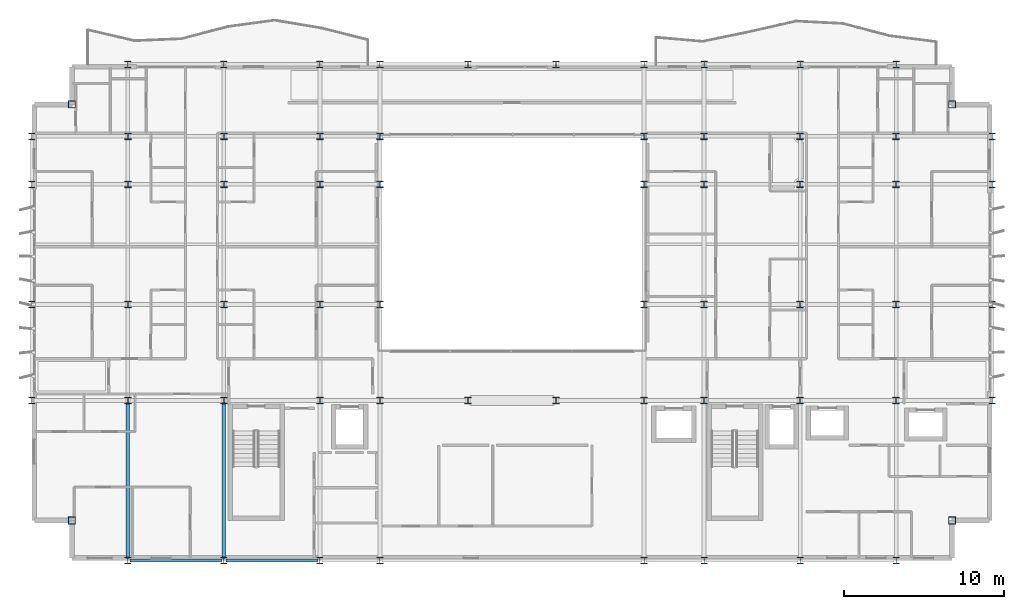
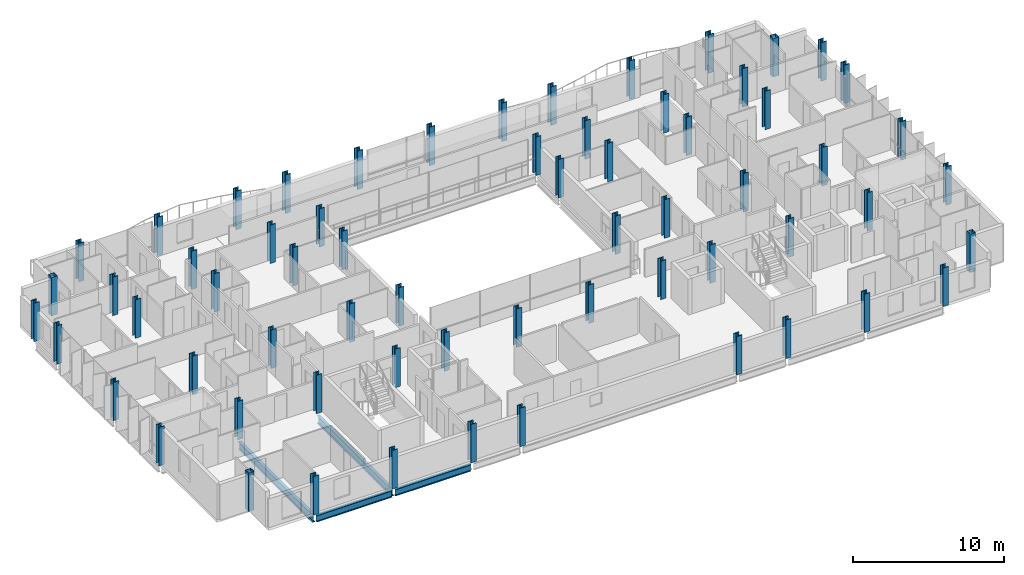
# One storey, part 1 of 39: 64 columns, 4 beams.
"""IFC4 building model written with IfcOpenShell, lengths in metres."""

from ifc_helpers import new_model, si_unit, direction, frame, origin, origin_2d, place, context, subcontext, project, spatial, hollow_rectangle, i_section, extrude, material, material_profile, profile_set, type_object, element, save


model = new_model("IFC4")

# Units and contexts
model_context = context("Model", 3, precision=1e-05, world=origin(), true_north=direction((0.0, 1.0)))
body_context = subcontext(model_context, "Body", "Model", "MODEL_VIEW")
ifc_project = project(units=[si_unit("LENGTHUNIT", "METRE"), si_unit("AREAUNIT", "SQUARE_METRE"), si_unit("VOLUMEUNIT", "CUBIC_METRE"), si_unit("PLANEANGLEUNIT", "RADIAN"), si_unit("MASSUNIT", "GRAM", prefix="KILO")], contexts=[model_context])

# Site, building, storey
site_placement = place(None, origin())
site = spatial("IfcSite", under=ifc_project, at=site_placement, CompositionType="ELEMENT")
building_placement = place(site_placement, origin())
building = spatial("IfcBuilding", under=site, at=building_placement, Name="Brevholm Reach", CompositionType="ELEMENT")
storey_placement = place(building_placement, frame((0.0, 0.0, 109.699951171875)))
storey = spatial("IfcBuildingStorey", under=building, at=storey_placement, Name="L32", CompositionType="ELEMENT", Elevation=109.699951171875)

# Columns
ifc_material_1 = material(Name="Structural Steel S460NH", Category="steel")
ifc_material_profile_1 = material_profile(ifc_material_1, hollow_rectangle(XDim=0.449951171875, YDim=0.449951171875, WallThickness=0.02490234375, InnerFilletRadius=0.011962890625, OuterFilletRadius=0.02392578125, at=origin_2d()), Name="SHS 450x450x25")
ifc_profile_set_1 = profile_set([ifc_material_profile_1], Name="Structural Steel S460NH")
column_type_1 = type_object("IfcColumnType", Name="COL-SHS1", PredefinedType="COLUMN", material=ifc_profile_set_1)
for number, where, z_axis, x_axis, name in (
    (1, (2.5, 2.5, 0.0), (0.0, 0.0, 1.0), (1.0, 0.0, 0.0), "L32 Column 05"),
    (2, (2.5, 28.5, 0.0), (0.0, 0.0, 1.0), (1.0, 0.0, 0.0), "L32 Column 06"),
    (3, (57.5, 2.5, 0.0), (0.0, 0.0, 1.0), (1.0, 0.0, 0.0), "L32 Column 59"),
    (4, (57.5, 28.5, 0.0), (0.0, 0.0, 1.0), (1.0, 0.0, 0.0), "L32 Column 60"),
):
    element("IfcColumn", number, at=place(storey_placement, frame(where, z_axis=z_axis, x_axis=x_axis)), inside=storey, type_object=column_type_1, Name=name, PredefinedType="COLUMN", context=body_context, shape_type="SweptSolid", body=[
        extrude(hollow_rectangle(XDim=0.449951171875, YDim=0.449951171875, WallThickness=0.02490234375, InnerFilletRadius=0.011962890625, OuterFilletRadius=0.02392578125, at=origin_2d()), origin(), (0.0, 0.0, 1.0), 3.10009765625),
    ])
ifc_material_2 = material(Name="Structural Steel S460ML", Category="steel")
ifc_material_profile_2 = material_profile(ifc_material_2, i_section(OverallWidth=0.412109375, OverallDepth=0.4365234375, WebThickness=0.035888671875, FlangeThickness=0.05810546875, FilletRadius=0.01513671875, at=origin_2d()), Name="UKC 356x406x467")
ifc_profile_set_2 = profile_set([ifc_material_profile_2], Name="Structural Steel S460ML")
column_type_2 = type_object("IfcColumnType", Name="COL-UC3", PredefinedType="COLUMN", material=ifc_profile_set_2)
for number, where, z_axis, x_axis, name in (
    (5, (0.0, 10.0, 0.0), (0.0, 0.0, 1.0), (1.0, 0.0, 0.0), "L32 Column 01"),
    (6, (0.0, 16.0, 0.0), (0.0, 0.0, 1.0), (1.0, 0.0, 0.0), "L32 Column 02"),
    (7, (0.0, 23.5, 0.0), (0.0, 0.0, 1.0), (1.0, 0.0, 0.0), "L32 Column 03"),
    (8, (0.0, 26.5, 0.0), (0.0, 0.0, 1.0), (1.0, 0.0, 0.0), "L32 Column 04"),
    (9, (6.0, 0.0, 0.0), (0.0, 0.0, 1.0), (1.0, 0.0, 0.0), "L32 Column 07"),
    (10, (6.0, 31.0, 0.0), (0.0, 0.0, 1.0), (1.0, 0.0, 0.0), "L32 Column 12"),
    (11, (12.0, 0.0, 0.0), (0.0, 0.0, 1.0), (1.0, 0.0, 0.0), "L32 Column 13"),
    (12, (12.0, 31.0, 0.0), (0.0, 0.0, 1.0), (1.0, 0.0, 0.0), "L32 Column 18"),
    (13, (18.0, 0.0, 0.0), (0.0, 0.0, 1.0), (1.0, 0.0, 0.0), "L32 Column 19"),
    (14, (18.0, 31.0, 0.0), (0.0, 0.0, 1.0), (1.0, 0.0, 0.0), "L32 Column 24"),
    (15, (21.75, 0.0, 0.0), (0.0, 0.0, 1.0), (1.0, 0.0, 0.0), "L32 Column 25"),
    (16, (21.75, 31.0, 0.0), (0.0, 0.0, 1.0), (1.0, 0.0, 0.0), "L32 Column 30"),
    (17, (27.25, 31.0, 0.0), (0.0, 0.0, 1.0), (1.0, 0.0, 0.0), "L32 Column 32"),
    (18, (32.75, 31.0, 0.0), (0.0, 0.0, 1.0), (1.0, 0.0, 0.0), "L32 Column 34"),
    (19, (38.25, 0.0, 0.0), (0.0, 0.0, 1.0), (1.0, 0.0, 0.0), "L32 Column 35"),
    (20, (38.25, 31.0, 0.0), (0.0, 0.0, 1.0), (1.0, 0.0, 0.0), "L32 Column 40"),
    (21, (42.0, 0.0, 0.0), (0.0, 0.0, 1.0), (1.0, 0.0, 0.0), "L32 Column 41"),
    (22, (42.0, 31.0, 0.0), (0.0, 0.0, 1.0), (1.0, 0.0, 0.0), "L32 Column 46"),
    (23, (48.0, 0.0, 0.0), (0.0, 0.0, 1.0), (1.0, 0.0, 0.0), "L32 Column 47"),
    (24, (48.0, 31.0, 0.0), (0.0, 0.0, 1.0), (1.0, 0.0, 0.0), "L32 Column 52"),
    (25, (54.0, 0.0, 0.0), (0.0, 0.0, 1.0), (1.0, 0.0, 0.0), "L32 Column 53"),
    (26, (54.0, 31.0, 0.0), (0.0, 0.0, 1.0), (1.0, 0.0, 0.0), "L32 Column 58"),
    (27, (60.0, 10.0, 0.0), (0.0, 0.0, 1.0), (1.0, 0.0, 0.0), "L32 Column 61"),
    (28, (60.0, 16.0, 0.0), (0.0, 0.0, 1.0), (1.0, 0.0, 0.0), "L32 Column 62"),
    (29, (60.0, 23.5, 0.0), (0.0, 0.0, 1.0), (1.0, 0.0, 0.0), "L32 Column 63"),
    (30, (60.0, 26.5, 0.0), (0.0, 0.0, 1.0), (1.0, 0.0, 0.0), "L32 Column 64"),
):
    element("IfcColumn", number, at=place(storey_placement, frame(where, z_axis=z_axis, x_axis=x_axis)), inside=storey, type_object=column_type_2, Name=name, PredefinedType="COLUMN", context=body_context, shape_type="SweptSolid", body=[
        extrude(i_section(OverallWidth=0.412109375, OverallDepth=0.4365234375, WebThickness=0.035888671875, FlangeThickness=0.05810546875, FilletRadius=0.01513671875, at=origin_2d()), origin(), (0.0, 0.0, 1.0), 3.10009765625),
    ])
ifc_material_3 = material(Name="Structural Steel S355J2", Category="steel")
ifc_material_profile_3 = material_profile(ifc_material_3, i_section(OverallWidth=0.406982421875, OverallDepth=0.4189453125, WebThickness=0.030517578125, FlangeThickness=0.04931640625, FilletRadius=0.01513671875, at=origin_2d()), Name="UKC 356x406x393")
ifc_profile_set_3 = profile_set([ifc_material_profile_3], Name="Structural Steel S355J2")
column_type_3 = type_object("IfcColumnType", Name="COL-UC4", PredefinedType="COLUMN", material=ifc_profile_set_3)
for number, where, z_axis, x_axis, name in (
    (31, (6.0, 10.0, 0.0), (0.0, 0.0, 1.0), (1.0, 0.0, 0.0), "L32 Column 08"),
    (32, (6.0, 16.0, 0.0), (0.0, 0.0, 1.0), (1.0, 0.0, 0.0), "L32 Column 09"),
    (33, (6.0, 23.5, 0.0), (0.0, 0.0, 1.0), (1.0, 0.0, 0.0), "L32 Column 10"),
    (34, (6.0, 26.5, 0.0), (0.0, 0.0, 1.0), (1.0, 0.0, 0.0), "L32 Column 11"),
    (35, (12.0, 10.0, 0.0), (0.0, 0.0, 1.0), (1.0, 0.0, 0.0), "L32 Column 14"),
    (36, (12.0, 16.0, 0.0), (0.0, 0.0, 1.0), (1.0, 0.0, 0.0), "L32 Column 15"),
    (37, (12.0, 23.5, 0.0), (0.0, 0.0, 1.0), (1.0, 0.0, 0.0), "L32 Column 16"),
    (38, (12.0, 26.5, 0.0), (0.0, 0.0, 1.0), (1.0, 0.0, 0.0), "L32 Column 17"),
    (39, (18.0, 10.0, 0.0), (0.0, 0.0, 1.0), (1.0, 0.0, 0.0), "L32 Column 20"),
    (40, (18.0, 16.0, 0.0), (0.0, 0.0, 1.0), (1.0, 0.0, 0.0), "L32 Column 21"),
    (41, (18.0, 23.5, 0.0), (0.0, 0.0, 1.0), (1.0, 0.0, 0.0), "L32 Column 22"),
    (42, (18.0, 26.5, 0.0), (0.0, 0.0, 1.0), (1.0, 0.0, 0.0), "L32 Column 23"),
    (43, (21.75, 10.0, 0.0), (0.0, 0.0, 1.0), (1.0, 0.0, 0.0), "L32 Column 26"),
    (44, (21.75, 16.0, 0.0), (0.0, 0.0, 1.0), (1.0, 0.0, 0.0), "L32 Column 27"),
    (45, (21.75, 23.5, 0.0), (0.0, 0.0, 1.0), (1.0, 0.0, 0.0), "L32 Column 28"),
    (46, (21.75, 26.5, 0.0), (0.0, 0.0, 1.0), (1.0, 0.0, 0.0), "L32 Column 29"),
    (47, (27.25, 10.0, 0.0), (0.0, 0.0, 1.0), (1.0, 0.0, 0.0), "L32 Column 31"),
    (48, (32.75, 10.0, 0.0), (0.0, 0.0, 1.0), (1.0, 0.0, 0.0), "L32 Column 33"),
    (49, (38.25, 10.0, 0.0), (0.0, 0.0, 1.0), (1.0, 0.0, 0.0), "L32 Column 36"),
    (50, (38.25, 16.0, 0.0), (0.0, 0.0, 1.0), (1.0, 0.0, 0.0), "L32 Column 37"),
    (51, (38.25, 23.5, 0.0), (0.0, 0.0, 1.0), (1.0, 0.0, 0.0), "L32 Column 38"),
    (52, (38.25, 26.5, 0.0), (0.0, 0.0, 1.0), (1.0, 0.0, 0.0), "L32 Column 39"),
    (53, (42.0, 10.0, 0.0), (0.0, 0.0, 1.0), (1.0, 0.0, 0.0), "L32 Column 42"),
    (54, (42.0, 16.0, 0.0), (0.0, 0.0, 1.0), (1.0, 0.0, 0.0), "L32 Column 43"),
    (55, (42.0, 23.5, 0.0), (0.0, 0.0, 1.0), (1.0, 0.0, 0.0), "L32 Column 44"),
    (56, (42.0, 26.5, 0.0), (0.0, 0.0, 1.0), (1.0, 0.0, 0.0), "L32 Column 45"),
    (57, (48.0, 10.0, 0.0), (0.0, 0.0, 1.0), (1.0, 0.0, 0.0), "L32 Column 48"),
    (58, (48.0, 16.0, 0.0), (0.0, 0.0, 1.0), (1.0, 0.0, 0.0), "L32 Column 49"),
    (59, (48.0, 23.5, 0.0), (0.0, 0.0, 1.0), (1.0, 0.0, 0.0), "L32 Column 50"),
    (60, (48.0, 26.5, 0.0), (0.0, 0.0, 1.0), (1.0, 0.0, 0.0), "L32 Column 51"),
    (61, (54.0, 10.0, 0.0), (0.0, 0.0, 1.0), (1.0, 0.0, 0.0), "L32 Column 54"),
    (62, (54.0, 16.0, 0.0), (0.0, 0.0, 1.0), (1.0, 0.0, 0.0), "L32 Column 55"),
    (63, (54.0, 23.5, 0.0), (0.0, 0.0, 1.0), (1.0, 0.0, 0.0), "L32 Column 56"),
    (64, (54.0, 26.5, 0.0), (0.0, 0.0, 1.0), (1.0, 0.0, 0.0), "L32 Column 57"),
):
    element("IfcColumn", number, at=place(storey_placement, frame(where, z_axis=z_axis, x_axis=x_axis)), inside=storey, type_object=column_type_3, Name=name, PredefinedType="COLUMN", context=body_context, shape_type="SweptSolid", body=[
        extrude(i_section(OverallWidth=0.406982421875, OverallDepth=0.4189453125, WebThickness=0.030517578125, FlangeThickness=0.04931640625, FilletRadius=0.01513671875, at=origin_2d()), origin(), (0.0, 0.0, 1.0), 3.10009765625),
    ])

# Beams
ifc_material_4 = material(Name="Structural Steel S355J2", Category="steel")
ifc_material_profile_4 = material_profile(ifc_material_4, i_section(OverallWidth=0.209228515625, OverallDepth=0.533203125, WebThickness=0.010009765625, FlangeThickness=0.015625, FilletRadius=0.0126953125, at=origin_2d()), Name="UKB 533x210x92")
ifc_profile_set_4 = profile_set([ifc_material_profile_4], Name="Structural Steel S355J2")
beam_type_1 = type_object("IfcBeamType", Name="BM-SP533", PredefinedType="SPANDREL", material=ifc_profile_set_4)
for number, where, z_axis, x_axis, name in (
    (65, (6.1201171875, 0.0, -0.486572265625), (1.0, 0.0, 0.0), (0.0, 1.0, 0.0), "L32 SP-02 Framing Beam"),
    (66, (12.1201171875, 0.0, -0.486572265625), (1.0, 0.0, 0.0), (0.0, 1.0, 0.0), "L32 SP-02 Framing Beam"),
):
    element("IfcBeam", number, at=place(storey_placement, frame(where, z_axis=z_axis, x_axis=x_axis)), inside=storey, type_object=beam_type_1, Name=name, PredefinedType="SPANDREL", context=body_context, shape_type="SweptSolid", body=[
        extrude(i_section(OverallWidth=0.209228515625, OverallDepth=0.533203125, WebThickness=0.010009765625, FlangeThickness=0.015625, FilletRadius=0.0126953125, at=origin_2d()), origin(), (0.0, 0.0, 1.0), 5.759765625),
    ])
ifc_material_5 = material(Name="Structural Steel S355J2", Category="steel")
ifc_material_profile_5 = material_profile(ifc_material_5, i_section(OverallWidth=0.22900390625, OverallDepth=0.6123046875, WebThickness=0.011962890625, FlangeThickness=0.01953125, FilletRadius=0.0126953125, at=origin_2d()), Name="UKB 610x229x125")
ifc_profile_set_5 = profile_set([ifc_material_profile_5], Name="Structural Steel S355J2")
beam_type_2 = type_object("IfcBeamType", Name="BM-SP610", PredefinedType="SPANDREL", material=ifc_profile_set_5)
for number, where, z_axis, x_axis, name in (
    (67, (6.0, 0.1201171875, -0.526123046875), (0.0, 1.0, 0.0), (-1.0, 0.0, 0.0), "L32 SP-01 Framing Beam"),
    (68, (12.0, 0.1201171875, -0.526123046875), (0.0, 1.0, 0.0), (-1.0, 0.0, 0.0), "L32 SP-01 Framing Beam"),
):
    element("IfcBeam", number, at=place(storey_placement, frame(where, z_axis=z_axis, x_axis=x_axis)), inside=storey, type_object=beam_type_2, Name=name, PredefinedType="SPANDREL", context=body_context, shape_type="SweptSolid", body=[
        extrude(i_section(OverallWidth=0.22900390625, OverallDepth=0.6123046875, WebThickness=0.011962890625, FlangeThickness=0.01953125, FilletRadius=0.0126953125, at=origin_2d()), origin(), (0.0, 0.0, 1.0), 9.759765625),
    ])

save(model, "model.ifc")
